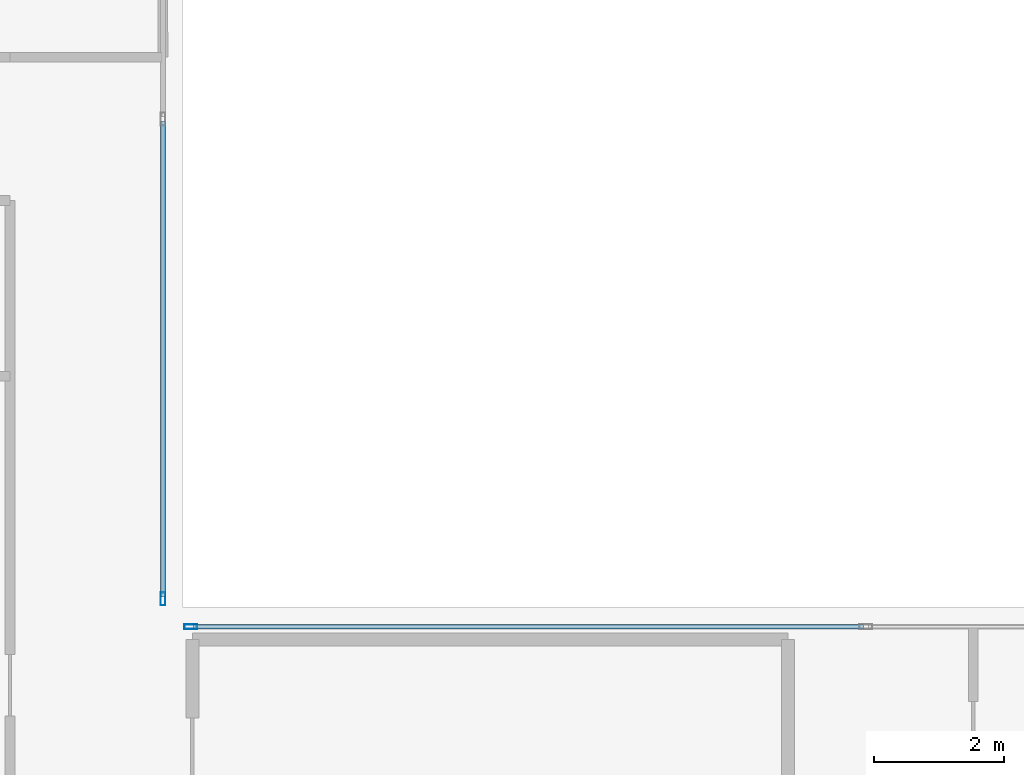
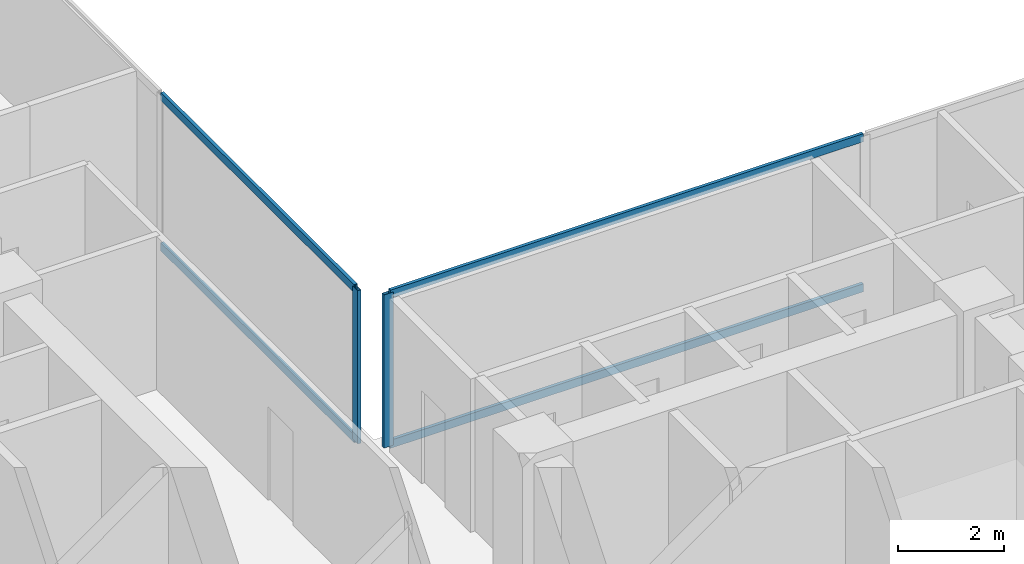
# One storey, part 8 of 24: 6 members, 2 elements without a shape of their own.
"""IFC4 building model written with IfcOpenShell, lengths in metres."""

from ifc_helpers import new_model, si_unit, direction, frame, origin, origin_2d, place, context, subcontext, project, spatial, hollow_rectangle, extrude, material, layer, layer_set, material_profile, profile_set, type_object, element, aggregate, save


model = new_model("IFC4")

# Units and contexts
model_context = context("Model", 3, precision=1e-05, world=origin(), true_north=direction((0.0, 1.0)))
body_context = subcontext(model_context, "Body", "Model", "MODEL_VIEW")
ifc_project = project(units=[si_unit("LENGTHUNIT", "METRE"), si_unit("AREAUNIT", "SQUARE_METRE"), si_unit("VOLUMEUNIT", "CUBIC_METRE"), si_unit("PLANEANGLEUNIT", "RADIAN"), si_unit("MASSUNIT", "GRAM", prefix="KILO"), si_unit("THERMODYNAMICTEMPERATUREUNIT", "KELVIN"), si_unit("POWERUNIT", "WATT")], contexts=[model_context])

# Site, building, storey
site_placement = place(None, origin())
site = spatial("IfcSite", under=ifc_project, at=site_placement, CompositionType="ELEMENT")
building_placement = place(site_placement, origin())
building = spatial("IfcBuilding", under=site, at=building_placement, Name="Svarakhadi Broadcast Tower", CompositionType="ELEMENT")
storey_placement = place(building_placement, frame((0.0, 0.0, 156.89990234375)))
storey = spatial("IfcBuildingStorey", under=building, at=storey_placement, Name="L38", CompositionType="ELEMENT", Elevation=156.89990234375)

# Curtain wall, member
ifc_material = material(Name="Anodised Bronze Aluminium AA 6063-T6", Category="aluminium")
ifc_layer = layer(ifc_material, 0.199951171875)
ifc_layer_set = layer_set([ifc_layer], Name="Anodised Bronze Aluminium AA 6063-T6")
curtain_wall_type = type_object("IfcCurtainWallType", Name="CW_Sys_03", PredefinedType="NOTDEFINED", material=ifc_layer_set)
curtain_wall_1_placement = place(storey_placement, origin())
curtain_wall_1 = element("IfcCurtainWall", 1, at=curtain_wall_1_placement, inside=storey, type_object=curtain_wall_type, Name="L38 Unitised Facade Curtain Wall 09", PredefinedType="NOTDEFINED")
ifc_material_profile_1 = material_profile(ifc_material, hollow_rectangle(XDim=0.074951171875, YDim=0.199951171875, WallThickness=0.005615234375, at=origin_2d()), Name="ALU MULLION 200x75x6")
ifc_profile_set_1 = profile_set([ifc_material_profile_1], Name="Anodised Bronze Aluminium AA 6063-T6")
member_type_1 = type_object("IfcMemberType", Name="CW_Sys_03_Mul", PredefinedType="MULLION", material=ifc_profile_set_1)
member_1_placement = place(storey_placement, frame((23.699951171875, 24.12744140625, 0.0), z_axis=(0.0, 0.0, 1.0), x_axis=(1.0, 0.0, 0.0)))
member_1 = element("IfcMember", 2, at=member_1_placement, type_object=member_type_1, Name="CW-03 mullion 3", PredefinedType="MULLION", context=body_context, shape_type="SweptSolid", body=[
    extrude(hollow_rectangle(XDim=0.074951171875, YDim=0.199951171875, WallThickness=0.005615234375, at=origin_2d()), origin(), (0.0, 0.0, 1.0), 3.525146484375),
])

curtain_wall_2_placement = place(storey_placement, origin())
curtain_wall_2 = element("IfcCurtainWall", 3, at=curtain_wall_2_placement, inside=storey, type_object=curtain_wall_type, Name="L38 Unitised Facade Curtain Wall 10", PredefinedType="NOTDEFINED")
member_2_placement = place(storey_placement, frame((24.12744140625, 23.699951171875, 0.0), z_axis=(0.0, 0.0, 1.0), x_axis=(0.0, 1.0, 0.0)))
member_2 = element("IfcMember", 4, at=member_2_placement, type_object=member_type_1, Name="CW-03 mullion 1", PredefinedType="MULLION", context=body_context, shape_type="SweptSolid", body=[
    extrude(hollow_rectangle(XDim=0.074951171875, YDim=0.199951171875, WallThickness=0.005615234375, at=origin_2d()), origin(), (0.0, 0.0, 1.0), 3.525146484375),
])

# Member
ifc_material_profile_2 = material_profile(ifc_material, hollow_rectangle(XDim=0.070068359375, YDim=0.18505859375, WallThickness=0.0048828125, at=origin_2d()), Name="ALU TRANSOM 185x70x5")
ifc_profile_set_2 = profile_set([ifc_material_profile_2], Name="Anodised Bronze Aluminium AA 6063-T6")
member_type_2 = type_object("IfcMemberType", Name="CW_Sys_03_Trn", PredefinedType="USERDEFINED", material=ifc_profile_set_2)
member_3_placement = place(storey_placement, frame((23.699951171875, 31.46240234375, 0.03515625), z_axis=(0.0, -1.0, 0.0), x_axis=(1.0, 0.0, 0.0)))
member_3 = element("IfcMember", 5, at=member_3_placement, type_object=member_type_2, Name="CW-03 transom 2.1", ObjectType="TRANSOM", PredefinedType="USERDEFINED", context=body_context, shape_type="SweptSolid", body=[
    extrude(hollow_rectangle(XDim=0.070068359375, YDim=0.18505859375, WallThickness=0.0048828125, at=origin_2d()), origin(), (0.0, 0.0, 1.0), 7.29736328125),
])

member_4_placement = place(storey_placement, frame((23.699951171875, 31.46240234375, 3.489990234375), z_axis=(0.0, -1.0, 0.0), x_axis=(1.0, 0.0, 0.0)))
member_4 = element("IfcMember", 6, at=member_4_placement, type_object=member_type_2, Name="CW-03 transom 2.2", ObjectType="TRANSOM", PredefinedType="USERDEFINED", context=body_context, shape_type="SweptSolid", body=[
    extrude(hollow_rectangle(XDim=0.070068359375, YDim=0.18505859375, WallThickness=0.0048828125, at=origin_2d()), origin(), (0.0, 0.0, 1.0), 7.29736328125),
])

aggregate(curtain_wall_1, [member_1, member_3, member_4])

member_5_placement = place(storey_placement, frame((24.1650390625, 23.699951171875, 0.03515625), z_axis=(1.0, 0.0, 0.0), x_axis=(0.0, 1.0, 0.0)))
member_5 = element("IfcMember", 7, at=member_5_placement, type_object=member_type_2, Name="CW-03 transom 1.1", ObjectType="TRANSOM", PredefinedType="USERDEFINED", context=body_context, shape_type="SweptSolid", body=[
    extrude(hollow_rectangle(XDim=0.070068359375, YDim=0.18505859375, WallThickness=0.0048828125, at=origin_2d()), origin(), (0.0, 0.0, 1.0), 10.29736328125),
])

member_6_placement = place(storey_placement, frame((24.1650390625, 23.699951171875, 3.489990234375), z_axis=(1.0, 0.0, 0.0), x_axis=(0.0, 1.0, 0.0)))
member_6 = element("IfcMember", 8, at=member_6_placement, type_object=member_type_2, Name="CW-03 transom 1.2", ObjectType="TRANSOM", PredefinedType="USERDEFINED", context=body_context, shape_type="SweptSolid", body=[
    extrude(hollow_rectangle(XDim=0.070068359375, YDim=0.18505859375, WallThickness=0.0048828125, at=origin_2d()), origin(), (0.0, 0.0, 1.0), 10.29736328125),
])

aggregate(curtain_wall_2, [member_2, member_5, member_6])

save(model, "model.ifc")
